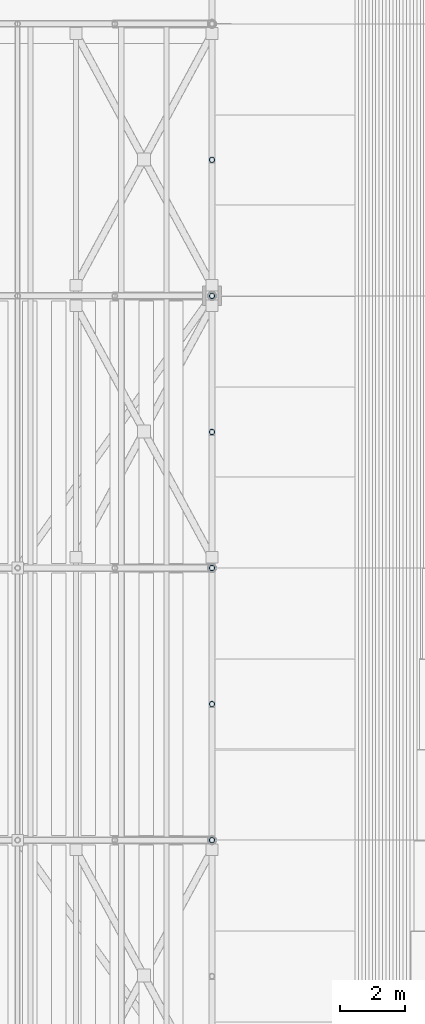
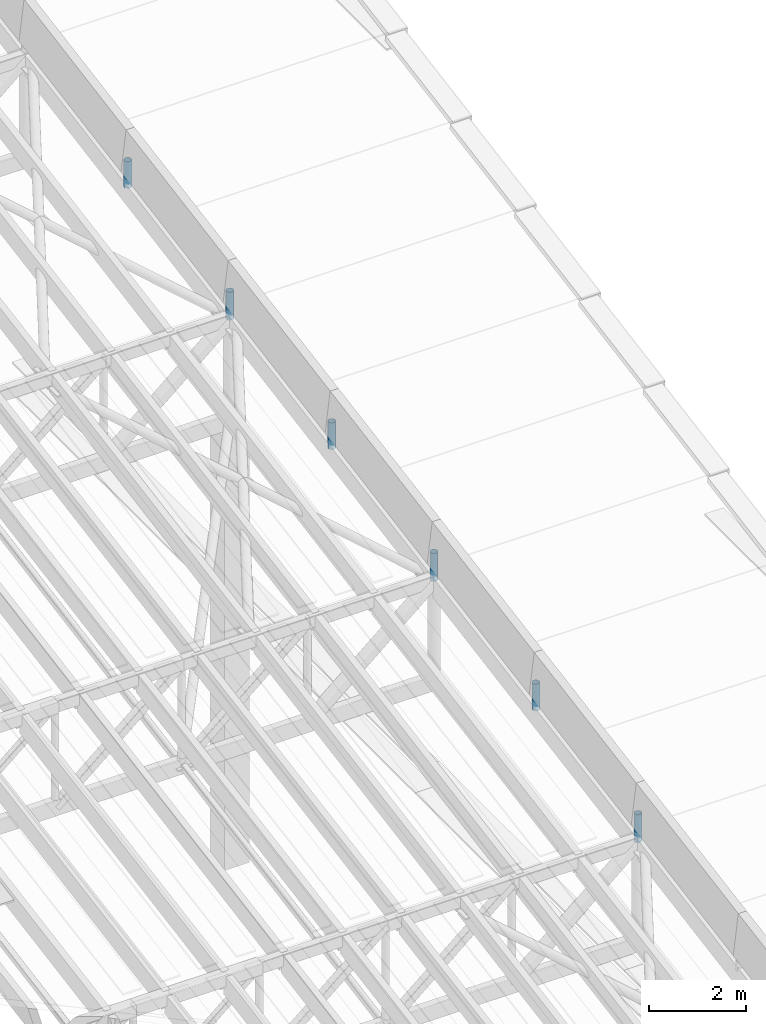
# One storey, part 56 of 91: 6 members.
"""IFC4 building model written with IfcOpenShell, lengths in metres."""

from ifc_helpers import new_model, si_unit, direction, frame, origin, origin_2d, place, context, subcontext, project, spatial, hollow_circle, extrude, material, material_profile, profile_set, type_object, element, save


model = new_model("IFC4")

# Units and contexts
model_context = context("Model", 3, precision=1e-05, world=origin(), true_north=direction((0.0, 1.0)))
body_context = subcontext(model_context, "Body", "Model", "MODEL_VIEW")
ifc_project = project(units=[si_unit("LENGTHUNIT", "METRE"), si_unit("AREAUNIT", "SQUARE_METRE"), si_unit("VOLUMEUNIT", "CUBIC_METRE"), si_unit("PLANEANGLEUNIT", "RADIAN"), si_unit("MASSUNIT", "GRAM", prefix="KILO")], contexts=[model_context])

# Site, building, storey
site_placement = place(None, origin())
site = spatial("IfcSite", under=ifc_project, at=site_placement, CompositionType="ELEMENT")
building_placement = place(site_placement, origin())
building = spatial("IfcBuilding", under=site, at=building_placement, Name="Almond Square Museum", CompositionType="ELEMENT")
storey_placement = place(building_placement, frame((0.0, 0.0, 30.0)))
storey = spatial("IfcBuildingStorey", under=building, at=storey_placement, Name="L05", CompositionType="ELEMENT", Elevation=30.0)

# Members
ifc_material = material(Name="Structural steel S355", Category="steel")
ifc_material_profile = material_profile(ifc_material, hollow_circle(Radius=0.084228515625, WallThickness=0.008056640625, at=origin_2d()))
ifc_profile_set = profile_set([ifc_material_profile], Name="Structural steel S355")
member_type = type_object("IfcMemberType", Name="Fascia post CHS 168.3x8", PredefinedType="POST", material=ifc_profile_set)
for number, where, z_axis, x_axis, name in (
    (1, (148.800048828125, 75.60009765625, 10.658447265625), (0.0, 0.0, 1.0), (1.0, 0.0, 0.0), "Rake fascia post E 4"),
    (2, (148.800048828125, 84.0, 12.12841796875), (0.0, 0.0, 1.0), (1.0, 0.0, 0.0), "Rake fascia post E 5"),
    (3, (148.800048828125, 92.39990234375, 13.598388671875), (0.0, 0.0, 1.0), (1.0, 0.0, 0.0), "Rake fascia post E 6"),
):
    element("IfcMember", number, at=place(storey_placement, frame(where, z_axis=z_axis, x_axis=x_axis)), inside=storey, type_object=member_type, Name=name, PredefinedType="POST", context=body_context, shape_type="SweptSolid", body=[
        extrude(hollow_circle(Radius=0.084228515625, WallThickness=0.008056640625, at=origin_2d()), origin(), (0.0, 0.0, 1.0), 0.70166015625),
    ])
for number, where, z_axis, x_axis, name in (
    (4, (148.800048828125, 79.800048828125, 11.423583984375), (0.0, 0.0, 1.0), (1.0, 0.0, 0.0), "Rake fascia post E bay 4"),
    (5, (148.800048828125, 88.199951171875, 12.8935546875), (0.0, 0.0, 1.0), (1.0, 0.0, 0.0), "Rake fascia post E bay 5"),
    (6, (148.800048828125, 96.60009765625, 14.363525390625), (0.0, 0.0, 1.0), (1.0, 0.0, 0.0), "Rake fascia post E bay 6"),
):
    element("IfcMember", number, at=place(storey_placement, frame(where, z_axis=z_axis, x_axis=x_axis)), inside=storey, type_object=member_type, Name=name, PredefinedType="POST", context=body_context, shape_type="SweptSolid", body=[
        extrude(hollow_circle(Radius=0.084228515625, WallThickness=0.008056640625, at=origin_2d()), origin(), (0.0, 0.0, 1.0), 0.67138671875),
    ])

save(model, "model.ifc")
